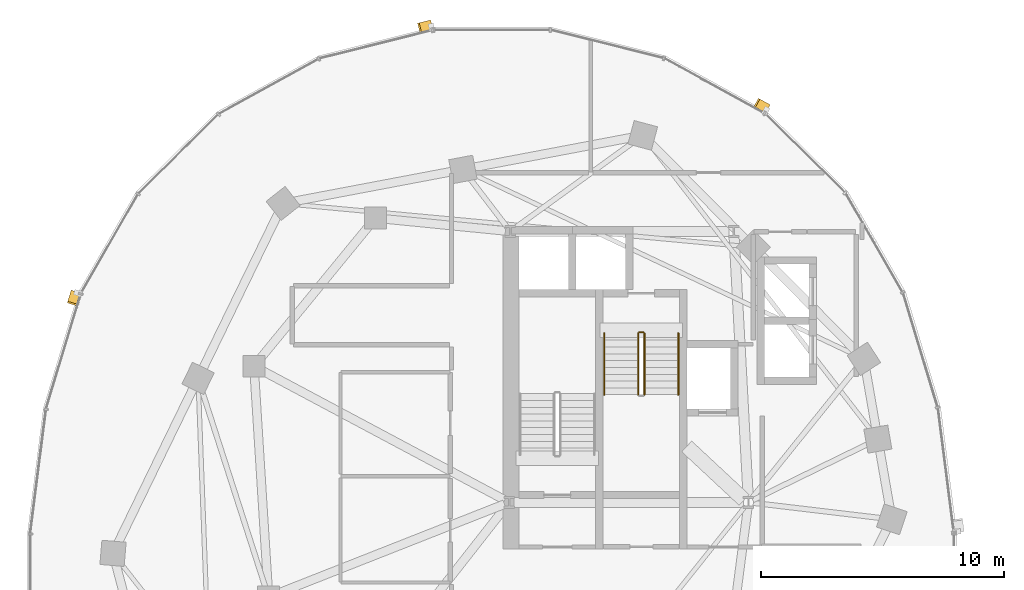
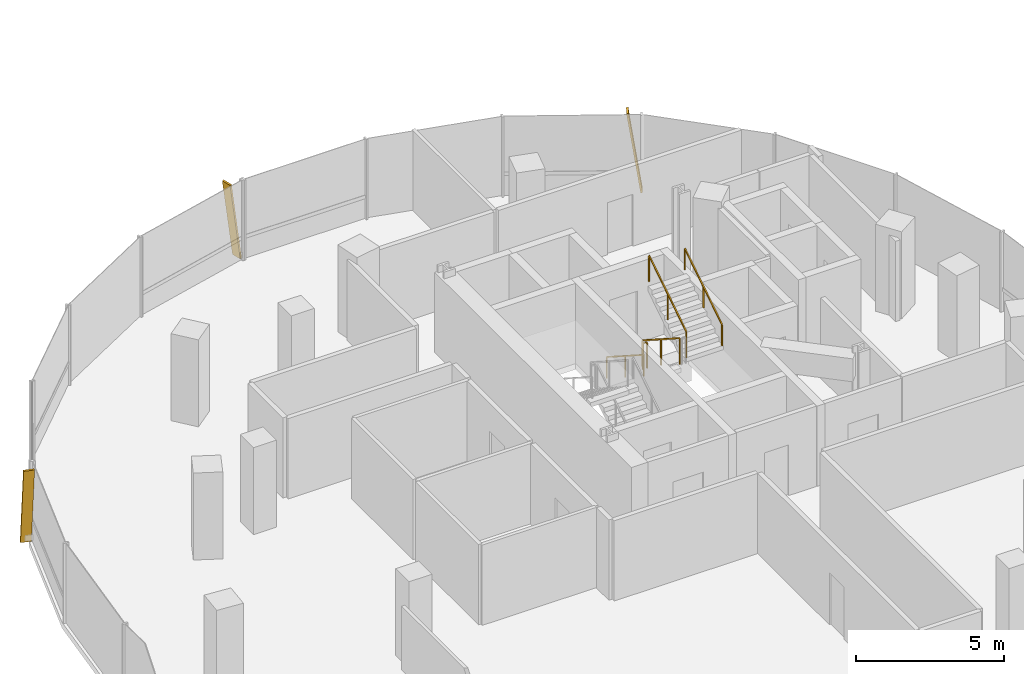
# One storey, part 19 of 21: 5 railings, 3 shading devices.
"""IFC4 building model written with IfcOpenShell, lengths in metres."""

from ifc_helpers import new_model, si_unit, direction, frame, origin, origin_2d, place, context, subcontext, project, spatial, rectangle, extrude, material, material_profile, profile_set, type_object, element, save


model = new_model("IFC4")

# Units and contexts
model_context = context("Model", 3, precision=1e-05, world=origin(), true_north=direction((0.0, 1.0)))
body_context = subcontext(model_context, "Body", "Model", "MODEL_VIEW")
ifc_project = project(units=[si_unit("LENGTHUNIT", "METRE"), si_unit("AREAUNIT", "SQUARE_METRE"), si_unit("VOLUMEUNIT", "CUBIC_METRE"), si_unit("PLANEANGLEUNIT", "RADIAN"), si_unit("MASSUNIT", "GRAM", prefix="KILO"), si_unit("THERMODYNAMICTEMPERATUREUNIT", "KELVIN"), si_unit("POWERUNIT", "WATT")], contexts=[model_context])

# Site, building, storey
site_placement = place(None, origin())
site = spatial("IfcSite", under=ifc_project, at=site_placement, CompositionType="ELEMENT")
building_placement = place(site_placement, origin())
building = spatial("IfcBuilding", under=site, at=building_placement, Name="Cundina Bronze Exchange", CompositionType="ELEMENT")
storey_placement = place(building_placement, frame((0.0, 0.0, 183.60009765625)))
storey = spatial("IfcBuildingStorey", under=building, at=storey_placement, Name="L48", CompositionType="ELEMENT", Elevation=183.60009765625)

# Railings
ifc_material_1 = material(Name="Steel ASTM A36 Painted", Category="steel")
railing_type_1 = type_object("IfcRailingType", Name="RLG-HND-900", PredefinedType="HANDRAIL", material=ifc_material_1)
railing_1_placement = place(storey_placement, frame((-27.389892578125, 10.85009765625, 0.179931640625)))
element("IfcRailing", 1, at=railing_1_placement, inside=storey, type_object=railing_type_1, Name="L48 ST-W2 stair handrail 1", PredefinedType="HANDRAIL", context=body_context, shape_type="SweptSolid", body=[
    extrude(rectangle(XDim=0.048095703125, YDim=0.048095703125, at=origin_2d()), frame((0.0, 0.0, 0.8759765625), z_axis=(0.0, -0.841199657755, 0.540724639528), x_axis=(1.0, 0.0, 0.0)), (0.0, 0.0, 1.0), 2.995849609375),
    extrude(rectangle(XDim=0.0419921875, YDim=0.0419921875, at=origin_2d()), origin(), (0.0, 0.0, 1.0), 0.851806640625),
    extrude(rectangle(XDim=0.0419921875, YDim=0.0419921875, at=origin_2d()), frame((0.0, -1.260009765625, 0.81005859375)), (0.0, 0.0, 1.0), 0.851806640625),
    extrude(rectangle(XDim=0.0419921875, YDim=0.0419921875, at=origin_2d()), frame((0.0, -2.52001953125, 1.619873046875)), (0.0, 0.0, 1.0), 0.851806640625),
])
railing_2_placement = place(storey_placement, frame((-24.330078125, 8.330078125, 1.97998046875)))
element("IfcRailing", 2, at=railing_2_placement, inside=storey, type_object=railing_type_1, Name="L48 ST-W2 stair handrail 2", PredefinedType="HANDRAIL", context=body_context, shape_type="SweptSolid", body=[
    extrude(rectangle(XDim=0.048095703125, YDim=0.048095703125, at=origin_2d()), frame((0.0, 0.0, 0.8759765625), z_axis=(0.0, 0.841199657755, 0.540724639528), x_axis=(-1.0, 0.0, 0.0)), (0.0, 0.0, 1.0), 2.995849609375),
    extrude(rectangle(XDim=0.0419921875, YDim=0.0419921875, at=origin_2d()), origin(), (0.0, 0.0, 1.0), 0.851806640625),
    extrude(rectangle(XDim=0.0419921875, YDim=0.0419921875, at=origin_2d()), frame((0.0, 1.260009765625, 0.81005859375)), (0.0, 0.0, 1.0), 0.851806640625),
    extrude(rectangle(XDim=0.0419921875, YDim=0.0419921875, at=origin_2d()), frame((0.0, 2.52001953125, 1.619873046875)), (0.0, 0.0, 1.0), 0.851806640625),
])
railing_type_2 = type_object("IfcRailingType", Name="RLG-STG-1100", PredefinedType="GUARDRAIL", material=ifc_material_1)
railing_3_placement = place(storey_placement, frame((-25.989990234375, 10.85009765625, 0.179931640625)))
element("IfcRailing", 3, at=railing_3_placement, inside=storey, type_object=railing_type_2, Name="L48 ST-W2 stair guard 1", PredefinedType="GUARDRAIL", context=body_context, shape_type="SweptSolid", body=[
    extrude(rectangle(XDim=0.048095703125, YDim=0.048095703125, at=origin_2d()), frame((0.0, 0.0, 1.076171875), z_axis=(0.0, -0.841199657755, 0.540724639528), x_axis=(1.0, 0.0, 0.0)), (0.0, 0.0, 1.0), 2.995849609375),
    extrude(rectangle(XDim=0.0419921875, YDim=0.0419921875, at=origin_2d()), origin(), (0.0, 0.0, 1.0), 1.052001953125),
    extrude(rectangle(XDim=0.0419921875, YDim=0.0419921875, at=origin_2d()), frame((0.0, -1.260009765625, 0.81005859375)), (0.0, 0.0, 1.0), 1.052001953125),
    extrude(rectangle(XDim=0.0419921875, YDim=0.0419921875, at=origin_2d()), frame((0.0, -2.52001953125, 1.619873046875)), (0.0, 0.0, 1.0), 1.052001953125),
])
railing_4_placement = place(storey_placement, frame((-25.72998046875, 8.330078125, 1.97998046875)))
element("IfcRailing", 4, at=railing_4_placement, inside=storey, type_object=railing_type_2, Name="L48 ST-W2 stair guard 3", PredefinedType="GUARDRAIL", context=body_context, shape_type="SweptSolid", body=[
    extrude(rectangle(XDim=0.048095703125, YDim=0.048095703125, at=origin_2d()), frame((0.0, 0.0, 1.076171875), z_axis=(0.0, 0.841199657755, 0.540724639528), x_axis=(-1.0, 0.0, 0.0)), (0.0, 0.0, 1.0), 2.995849609375),
    extrude(rectangle(XDim=0.0419921875, YDim=0.0419921875, at=origin_2d()), origin(), (0.0, 0.0, 1.0), 1.052001953125),
    extrude(rectangle(XDim=0.0419921875, YDim=0.0419921875, at=origin_2d()), frame((0.0, 1.260009765625, 0.81005859375)), (0.0, 0.0, 1.0), 1.052001953125),
    extrude(rectangle(XDim=0.0419921875, YDim=0.0419921875, at=origin_2d()), frame((0.0, 2.52001953125, 1.619873046875)), (0.0, 0.0, 1.0), 1.052001953125),
])
railing_5_placement = place(storey_placement, frame((-25.93994140625, 10.89990234375, 0.0)))
element("IfcRailing", 5, at=railing_5_placement, inside=storey, type_object=railing_type_2, Name="L48 ST-W2 stair guard 4", PredefinedType="GUARDRAIL", context=body_context, shape_type="SweptSolid", body=[
    extrude(rectangle(XDim=0.048095703125, YDim=0.048095703125, at=origin_2d()), frame((0.0, 0.0, 1.076171875), z_axis=(1.0, 0.0, 0.0), x_axis=(0.0, 1.0, 0.0)), (0.0, 0.0, 1.0), 0.159912109375),
    extrude(rectangle(XDim=0.0419921875, YDim=0.0419921875, at=origin_2d()), origin(), (0.0, 0.0, 1.0), 1.052001953125),
    extrude(rectangle(XDim=0.0419921875, YDim=0.0419921875, at=origin_2d()), frame((0.159912109375, 0.0, 0.0)), (0.0, 0.0, 1.0), 1.052001953125),
])

# Shading devices
ifc_material_2 = material(Name="Anodised Bronze Aluminium 6063-T6", Category="aluminium")
ifc_material_profile = material_profile(ifc_material_2, rectangle(XDim=0.070068359375, YDim=0.3798828125, at=origin_2d()), Name="FIN70X380", Category="aluminium")
ifc_profile_set = profile_set([ifc_material_profile], Name="Anodised Bronze Aluminium 6063-T6")
shading_device_type = type_object("IfcShadingDeviceType", Name="SHD-FIN-BRZ380", PredefinedType="USERDEFINED", material=ifc_profile_set)
for number, where, z_axis, x_axis, name in (
    (6, (-20.679931640625, 20.11181640625, 0.02001953125), (-0.1268316558, 0.069823699012, 0.989463684095), (0.86679245373, -0.477188876966, 0.144781275918), "L48 Diagonal Bronze Solar Fin 5"),
    (7, (-34.51953125, 23.556396484375, 0.02001953125), (-0.140457516237, -0.035132792473, 0.989463174163), (0.959890661387, 0.240098503137, 0.14478476085), "L48 Diagonal Bronze Solar Fin 1"),
    (8, (-49.151123046875, 12.5439453125, 0.02001953125), (-0.04198228089, -0.138615180062, 0.989456072773), (0.286809921927, 0.946975917662, 0.144833283649), "L48 Diagonal Bronze Solar Fin 5"),
):
    element("IfcShadingDevice", number, at=place(storey_placement, frame(where, z_axis=z_axis, x_axis=x_axis)), inside=storey, type_object=shading_device_type, Name=name, ObjectType="FIN", PredefinedType="USERDEFINED", context=body_context, shape_type="SweptSolid", body=[
        extrude(rectangle(XDim=0.070068359375, YDim=0.3798828125, at=origin_2d()), origin(), (0.0, 0.0, 1.0), 3.314697265625),
    ])

save(model, "model.ifc")
